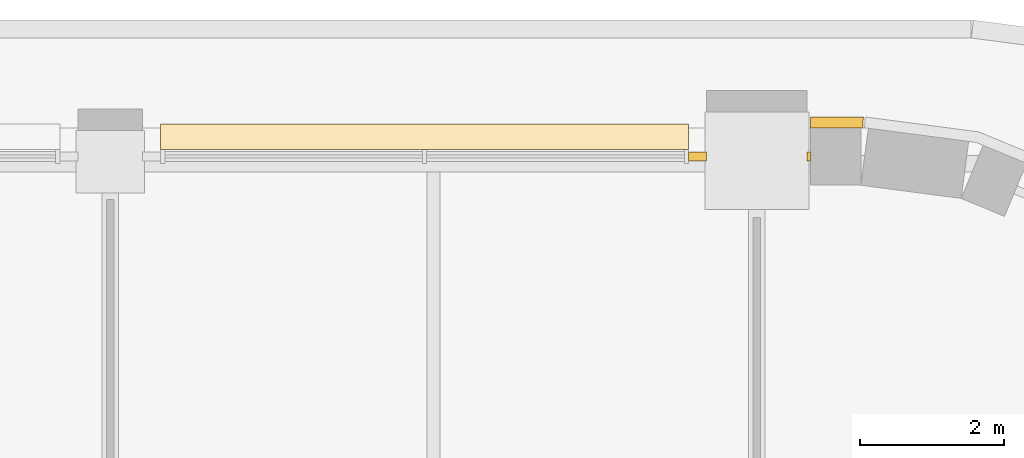
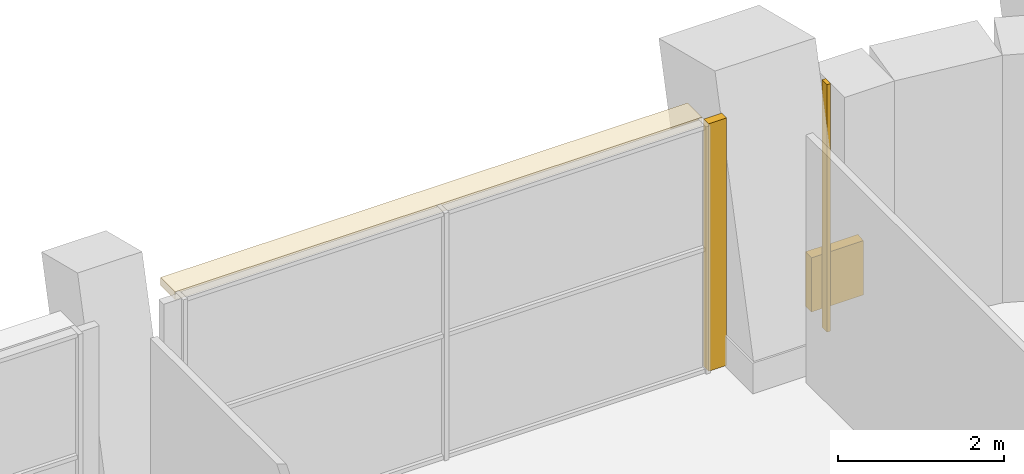
# One storey, part 22 of 23: 4 coverings.
"""IFC4 building model written with IfcOpenShell, lengths in metres."""

from ifc_helpers import new_model, si_unit, direction, frame, origin, origin_2d, place, context, subcontext, project, spatial, polyline, rectangle, outline, extrude, material, layer, layer_set, type_object, element, save


model = new_model("IFC4")

# Units and contexts
model_context = context("Model", 3, precision=1e-05, world=origin(), true_north=direction((0.0, 1.0)))
body_context = subcontext(model_context, "Body", "Model", "MODEL_VIEW")
ifc_project = project(units=[si_unit("LENGTHUNIT", "METRE"), si_unit("AREAUNIT", "SQUARE_METRE"), si_unit("VOLUMEUNIT", "CUBIC_METRE"), si_unit("PLANEANGLEUNIT", "RADIAN"), si_unit("MASSUNIT", "GRAM", prefix="KILO")], contexts=[model_context])

# Site, building, storey
site_placement = place(None, origin())
site = spatial("IfcSite", under=ifc_project, at=site_placement, CompositionType="ELEMENT")
building_placement = place(site_placement, origin())
building = spatial("IfcBuilding", under=site, at=building_placement, Name="Zellij Exchange Tower", CompositionType="ELEMENT")
storey_placement = place(building_placement, frame((0.0, 0.0, 212.5)))
storey = spatial("IfcBuildingStorey", under=building, at=storey_placement, Name="L49", CompositionType="ELEMENT", Elevation=212.5)

# Coverings
ifc_material_1 = material(Name="Limestone cladding", Category="masonry")
ifc_layer_1 = layer(ifc_material_1, 0.14990234375)
ifc_layer_set_1 = layer_set([ifc_layer_1], Name="Limestone cladding")
covering_type_1 = type_object("IfcCoveringType", Name="ENV-CV1 Stone spandrel band 150", PredefinedType="CLADDING", material=ifc_layer_set_1)
covering_1_placement = place(storey_placement, origin())
element("IfcCovering", 1, at=covering_1_placement, inside=storey, type_object=covering_type_1, Name="Stone spandrel band", PredefinedType="CLADDING", context=body_context, shape_type="SweptSolid", body=[
    extrude(outline(polyline([(28.473876953125, 29.5), (27.75, 29.5), (27.75, 29.64990234375), (28.483642578125, 29.64990234375), (28.473876953125, 29.5)])), origin(), (0.0, 0.0, 1.0), 0.800048828125),
])
ifc_layer_2 = layer(ifc_material_1, 0.1201171875)
ifc_layer_set_2 = layer_set([ifc_layer_2], Name="Limestone cladding")
covering_type_2 = type_object("IfcCoveringType", Name="ENV-CV18 Glazing closer 120", PredefinedType="CLADDING", material=ifc_layer_set_2)
covering_2_placement = place(storey_placement, frame((26.175048828125, 29.10009765625, 0.0), z_axis=(0.0, 0.0, 1.0), x_axis=(1.0, 0.0, 0.0)))
element("IfcCovering", 2, at=covering_2_placement, inside=storey, type_object=covering_type_2, Name="Glazing closer", PredefinedType="CLADDING", context=body_context, shape_type="SweptSolid", body=[
    extrude(rectangle(XDim=0.25, YDim=0.1201171875, at=origin_2d()), origin(), (0.0, 0.0, 1.0), 3.64990234375),
])
covering_3_placement = place(storey_placement, frame((27.72509765625, 29.10009765625, 0.0), z_axis=(0.0, 0.0, 1.0), x_axis=(-1.0, 0.0, 0.0)))
element("IfcCovering", 3, at=covering_3_placement, inside=storey, type_object=covering_type_2, Name="Glazing closer", PredefinedType="CLADDING", context=body_context, shape_type="SweptSolid", body=[
    extrude(rectangle(XDim=0.050048828125, YDim=0.1201171875, at=origin_2d()), origin(), (0.0, 0.0, 1.0), 3.64990234375),
])
ifc_material_2 = material(Name="Limestone sunshade", Category="masonry")
ifc_layer_3 = layer(ifc_material_2, 0.1201171875)
ifc_layer_set_3 = layer_set([ifc_layer_3], Name="Limestone sunshade")
covering_type_3 = type_object("IfcCoveringType", Name="ENV-SC2 Stone sunshade 120", PredefinedType="USERDEFINED", material=ifc_layer_set_3)
covering_4_placement = place(storey_placement, frame((0.0, 0.0, 3.530029296875)))
element("IfcCovering", 4, at=covering_4_placement, inside=storey, type_object=covering_type_3, Name="Stone sunshade", ObjectType="SUNSHADE", PredefinedType="USERDEFINED", context=body_context, shape_type="SweptSolid", body=[
    extrude(outline(polyline([(26.050048828125, 29.199951171875), (18.699951171875, 29.199951171875), (18.699951171875, 29.550048828125), (26.050048828125, 29.550048828125), (26.050048828125, 29.199951171875)])), origin(), (0.0, 0.0, 1.0), 0.119873046875),
])

save(model, "model.ifc")
